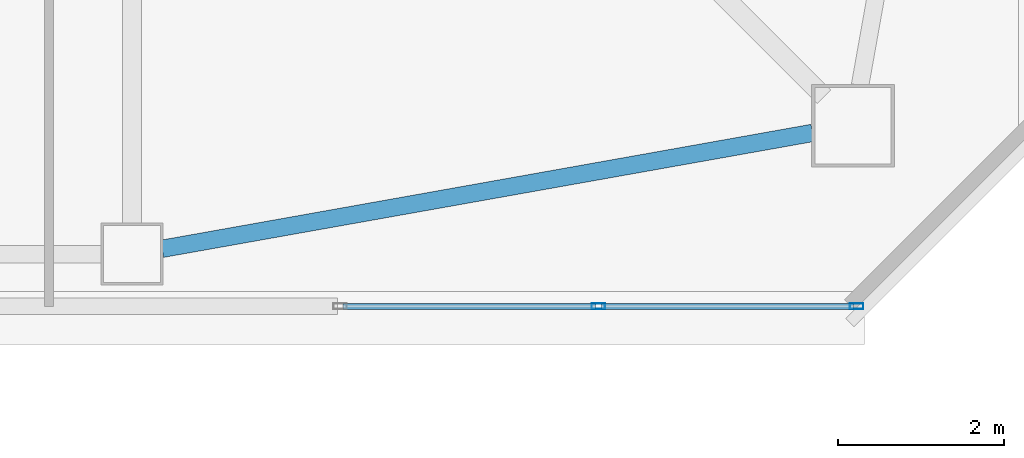
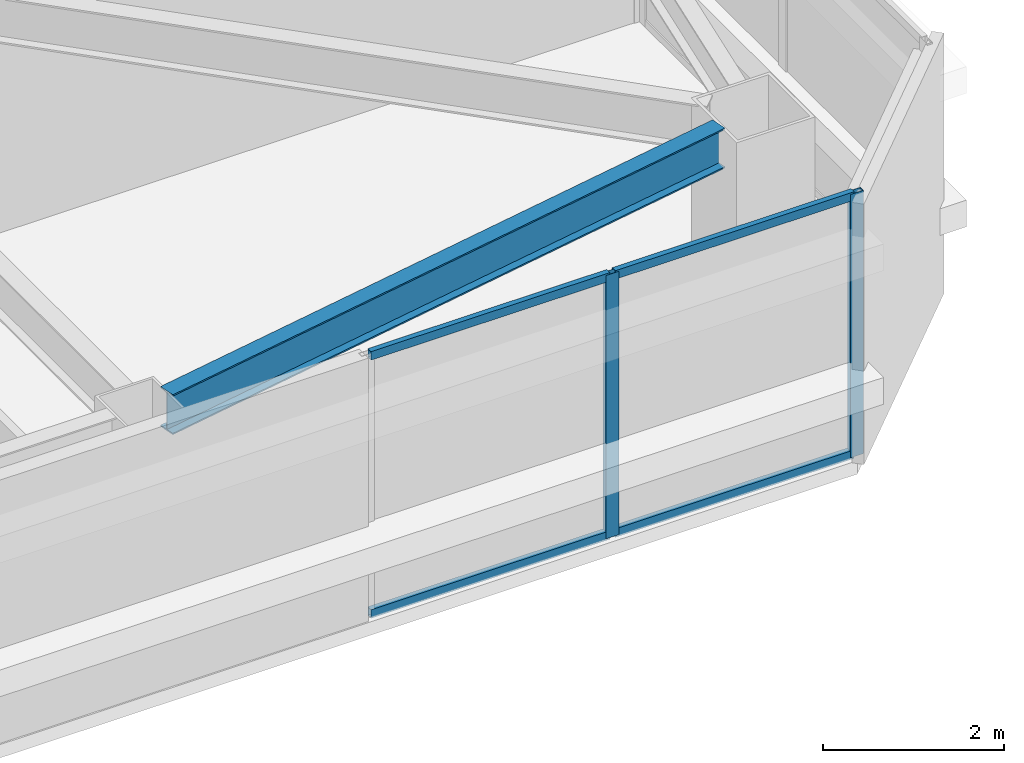
# One storey, part 7 of 44: 6 members, 1 beam, 1 element without a shape of its own.
"""IFC4 building model written with IfcOpenShell, lengths in metres."""

from ifc_helpers import new_model, si_unit, direction, frame, origin, origin_2d, place, context, subcontext, project, spatial, hollow_rectangle, i_section, extrude, material, material_profile, profile_set, type_object, element, aggregate, save


model = new_model("IFC4")

# Units and contexts
model_context = context("Model", 3, precision=1e-05, world=origin(), true_north=direction((0.0, 1.0)))
body_context = subcontext(model_context, "Body", "Model", "MODEL_VIEW")
ifc_project = project(units=[si_unit("LENGTHUNIT", "METRE"), si_unit("AREAUNIT", "SQUARE_METRE"), si_unit("VOLUMEUNIT", "CUBIC_METRE"), si_unit("PLANEANGLEUNIT", "RADIAN"), si_unit("MASSUNIT", "GRAM", prefix="KILO")], contexts=[model_context])

# Site, building, storey
site_placement = place(None, origin())
site = spatial("IfcSite", under=ifc_project, at=site_placement, CompositionType="ELEMENT")
building_placement = place(site_placement, origin())
building = spatial("IfcBuilding", under=site, at=building_placement, Name="Tashvorn Skyway Center", CompositionType="ELEMENT")
storey_placement = place(building_placement, frame((0.0, 0.0, 211.300048828125)))
storey = spatial("IfcBuildingStorey", under=building, at=storey_placement, Name="L57", CompositionType="ELEMENT", Elevation=211.300048828125)

# Beam
ifc_material_1 = material(Name="Steel ASTM A992 Grade 50", Category="steel")
ifc_material_profile_1 = material_profile(ifc_material_1, i_section(OverallWidth=0.2109375, OverallDepth=0.5390625, WebThickness=0.01171875, FlangeThickness=0.018798828125, at=origin_2d()), Name="W21X73")
ifc_profile_set_1 = profile_set([ifc_material_profile_1], Name="Steel ASTM A992 Grade 50")
beam_type = type_object("IfcBeamType", Name="BM-SPANDREL-W21X73", PredefinedType="SPANDREL", material=ifc_profile_set_1)
beam_placement = place(storey_placement, frame((47.76416015625, 16.414794921875, 3.100341796875), z_axis=(0.984494883191, 0.17541329759, 0.0), x_axis=(-0.17541329759, 0.984494883191, 0.0)))
element("IfcBeam", 1, at=beam_placement, inside=storey, type_object=beam_type, Name="Tower 1 L57 Spandrel Beam 03", PredefinedType="SPANDREL", context=body_context, shape_type="SweptSolid", body=[
    extrude(i_section(OverallWidth=0.2109375, OverallDepth=0.5390625, WebThickness=0.01171875, FlangeThickness=0.018798828125, at=origin_2d()), origin(), (0.0, 0.0, 1.0), 7.97216796875),
])

# Curtain wall, members
ifc_material_2 = material(Name="Thermally broken bronze-anodized aluminium 6063-T6", Category="aluminium")
curtain_wall_type = type_object("IfcCurtainWallType", Name="CW-CW-Z5", PredefinedType="NOTDEFINED", material=ifc_material_2)
curtain_wall_placement = place(storey_placement, origin())
curtain_wall = element("IfcCurtainWall", 2, at=curtain_wall_placement, inside=storey, type_object=curtain_wall_type, Name="Tower 1 L57 South Unitised Curtain Wall Glazing Group 1", PredefinedType="NOTDEFINED")
ifc_material_profile_2 = material_profile(ifc_material_2, hollow_rectangle(XDim=0.070068359375, YDim=0.1650390625, WallThickness=0.00390625, at=origin_2d()), Name="ALU-MULL-70x165")
ifc_profile_set_2 = profile_set([ifc_material_profile_2], Name="Thermally broken bronze-anodized aluminium 6063-T6")
member_type_1 = type_object("IfcMemberType", Name="CWM-CW-Z5", PredefinedType="MULLION", material=ifc_profile_set_2)
member_1_placement = place(storey_placement, frame((56.14501953125, 15.719970703125, 0.0), z_axis=(0.0, 0.0, 1.0), x_axis=(0.0, -1.0, 0.0)))
member_1 = element("IfcMember", 3, at=member_1_placement, type_object=member_type_1, Name="CW-Z5 mullion 1", PredefinedType="MULLION", context=body_context, shape_type="SweptSolid", body=[
    extrude(hollow_rectangle(XDim=0.070068359375, YDim=0.1650390625, WallThickness=0.00390625, at=origin_2d()), origin(), (0.0, 0.0, 1.0), 3.550048828125),
])
member_2_placement = place(storey_placement, frame((53.02880859375, 15.719970703125, 0.0), z_axis=(0.0, 0.0, 1.0), x_axis=(0.0, -1.0, 0.0)))
member_2 = element("IfcMember", 4, at=member_2_placement, type_object=member_type_1, Name="CW-Z5 mullion 2", PredefinedType="MULLION", context=body_context, shape_type="SweptSolid", body=[
    extrude(hollow_rectangle(XDim=0.070068359375, YDim=0.1650390625, WallThickness=0.00390625, at=origin_2d()), origin(), (0.0, 0.0, 1.0), 3.550048828125),
])
ifc_material_profile_3 = material_profile(ifc_material_2, hollow_rectangle(XDim=0.070068359375, YDim=0.114990234375, WallThickness=0.00390625, at=origin_2d()), Name="ALU-TRAN-70x115")
ifc_profile_set_3 = profile_set([ifc_material_profile_3], Name="Thermally broken bronze-anodized aluminium 6063-T6")
member_type_2 = type_object("IfcMemberType", Name="CWT-CW-Z5", PredefinedType="USERDEFINED", material=ifc_profile_set_3)
member_3_placement = place(storey_placement, frame((56.110107421875, 15.719970703125, 0.034912109375), z_axis=(-1.0, 0.0, 0.0), x_axis=(0.0, -1.0, 0.0)))
member_3 = element("IfcMember", 5, at=member_3_placement, type_object=member_type_2, Name="CW-Z5 transom 1.1", ObjectType="TRANSOM", PredefinedType="USERDEFINED", context=body_context, shape_type="SweptSolid", body=[
    extrude(hollow_rectangle(XDim=0.070068359375, YDim=0.114990234375, WallThickness=0.00390625, at=origin_2d()), origin(), (0.0, 0.0, 1.0), 3.046142578125),
])
member_4_placement = place(storey_placement, frame((56.110107421875, 15.719970703125, 3.514892578125), z_axis=(-1.0, 0.0, 0.0), x_axis=(0.0, -1.0, 0.0)))
member_4 = element("IfcMember", 6, at=member_4_placement, type_object=member_type_2, Name="CW-Z5 transom 1.2", ObjectType="TRANSOM", PredefinedType="USERDEFINED", context=body_context, shape_type="SweptSolid", body=[
    extrude(hollow_rectangle(XDim=0.070068359375, YDim=0.114990234375, WallThickness=0.00390625, at=origin_2d()), origin(), (0.0, 0.0, 1.0), 3.046142578125),
])
member_5_placement = place(storey_placement, frame((52.993896484375, 15.719970703125, 0.034912109375), z_axis=(-1.0, 0.0, 0.0), x_axis=(0.0, -1.0, 0.0)))
member_5 = element("IfcMember", 7, at=member_5_placement, type_object=member_type_2, Name="CW-Z5 transom 2.1", ObjectType="TRANSOM", PredefinedType="USERDEFINED", context=body_context, shape_type="SweptSolid", body=[
    extrude(hollow_rectangle(XDim=0.070068359375, YDim=0.114990234375, WallThickness=0.00390625, at=origin_2d()), origin(), (0.0, 0.0, 1.0), 3.046142578125),
])
member_6_placement = place(storey_placement, frame((52.993896484375, 15.719970703125, 3.514892578125), z_axis=(-1.0, 0.0, 0.0), x_axis=(0.0, -1.0, 0.0)))
member_6 = element("IfcMember", 8, at=member_6_placement, type_object=member_type_2, Name="CW-Z5 transom 2.2", ObjectType="TRANSOM", PredefinedType="USERDEFINED", context=body_context, shape_type="SweptSolid", body=[
    extrude(hollow_rectangle(XDim=0.070068359375, YDim=0.114990234375, WallThickness=0.00390625, at=origin_2d()), origin(), (0.0, 0.0, 1.0), 3.046142578125),
])
aggregate(curtain_wall, [member_1, member_2, member_3, member_4, member_5, member_6])

save(model, "model.ifc")
